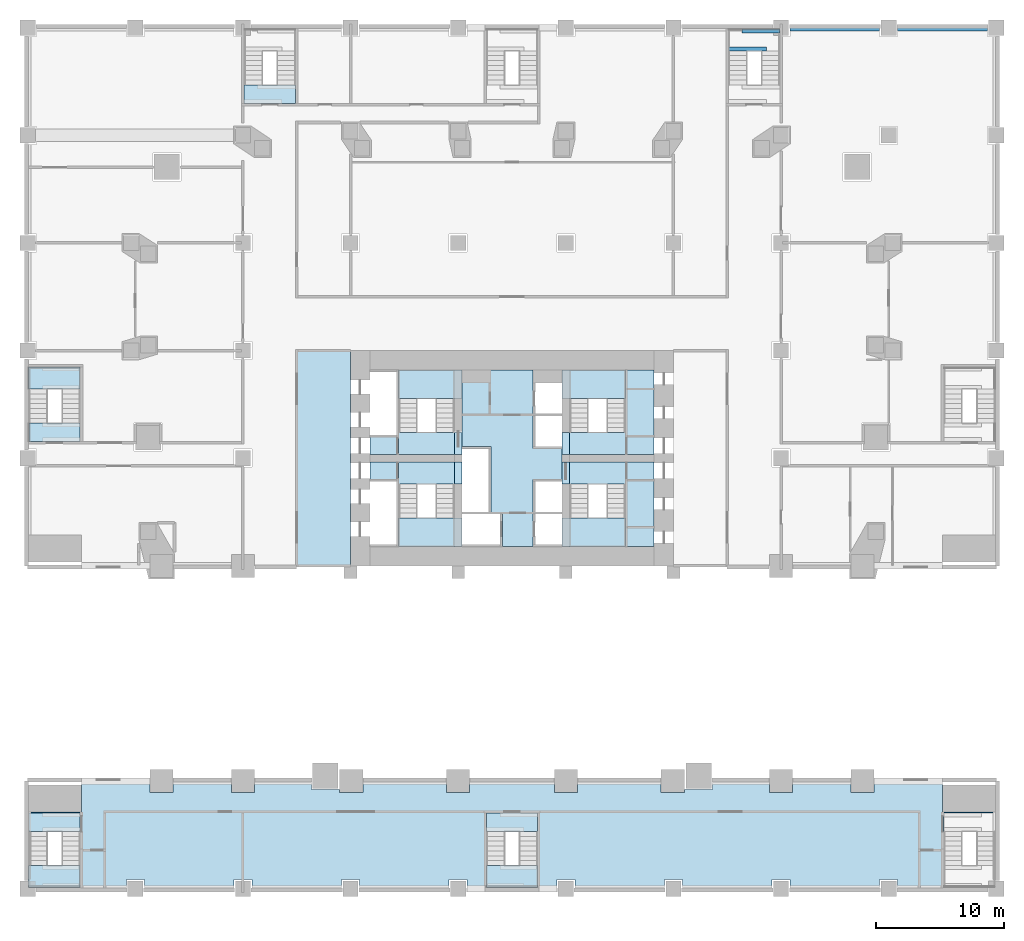
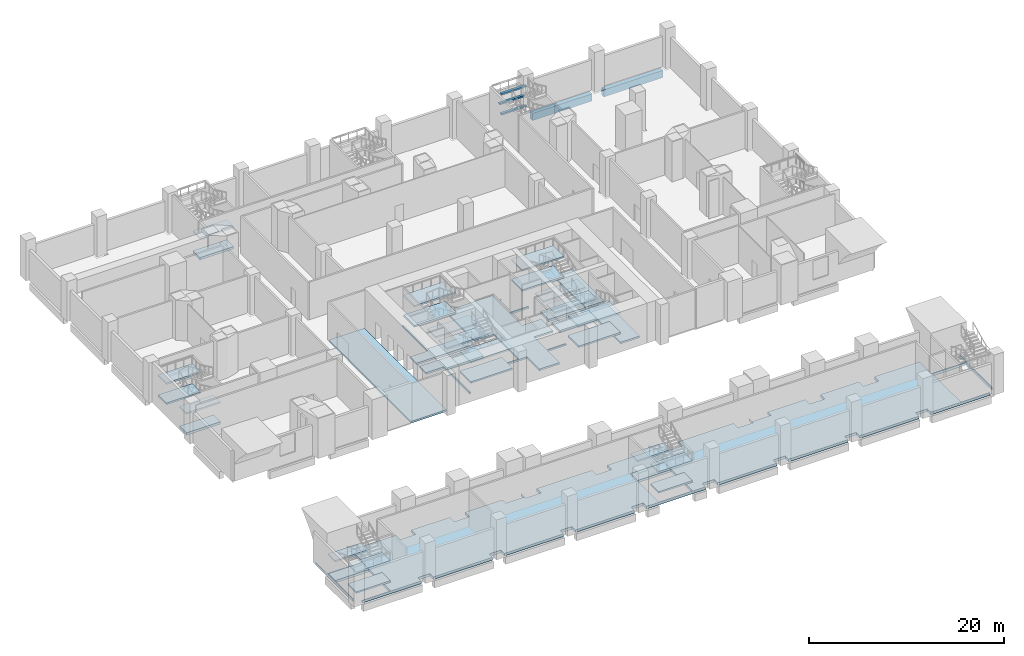
# One storey, part 2 of 16: 37 slabs, 5 beams, 8 elements without a shape of their own.
"""IFC4 building model written with IfcOpenShell, lengths in metres."""

from ifc_helpers import new_model, si_unit, direction, frame, origin, origin_2d, place, context, subcontext, project, spatial, polyline, rectangle, outline, extrude, material, layer, layer_set, material_profile, profile_set, type_object, element, aggregate, save


model = new_model("IFC4")

# Units and contexts
model_context = context("Model", 3, precision=1e-05, world=origin(), true_north=direction((0.0, 1.0)))
body_context = subcontext(model_context, "Body", "Model", "MODEL_VIEW")
ifc_project = project(units=[si_unit("LENGTHUNIT", "METRE"), si_unit("AREAUNIT", "SQUARE_METRE"), si_unit("VOLUMEUNIT", "CUBIC_METRE"), si_unit("PLANEANGLEUNIT", "RADIAN"), si_unit("MASSUNIT", "GRAM", prefix="KILO")], contexts=[model_context])

# Site, building, storey
site_placement = place(None, origin())
site = spatial("IfcSite", under=ifc_project, at=site_placement, CompositionType="ELEMENT")
building_placement = place(site_placement, origin())
building = spatial("IfcBuilding", under=site, at=building_placement, Name="Marenta Gate Hotel Tower", CompositionType="ELEMENT")
storey_placement = place(building_placement, frame((0.0, 0.0, 21.0)))
storey = spatial("IfcBuildingStorey", under=building, at=storey_placement, Name="L03", CompositionType="ELEMENT", Elevation=21.0)

# Beams
ifc_material_1 = material(Name="Concrete C60", Category="concrete")
ifc_material_profile_1 = material_profile(ifc_material_1, rectangle(XDim=0.5, YDim=0.89990234375, at=origin_2d()), Name="500 x 900")
ifc_profile_set_1 = profile_set([ifc_material_profile_1], Name="Concrete C60")
beam_type_1 = type_object("IfcBeamType", Name="Podium edge beam 500 x 900 C60", PredefinedType="BEAM", material=ifc_profile_set_1)
for number, where, z_axis, x_axis, name in (
    (1, (37.10009765625, 42.0, -0.77001953125), (-1.0, 0.0, 0.0), (0.0, -1.0, 0.0), "L03-PBM-116"),
    (2, (28.699951171875, 42.0, -0.77001953125), (-1.0, 0.0, 0.0), (0.0, -1.0, 0.0), "L03-PBM-117"),
):
    element("IfcBeam", number, at=place(storey_placement, frame(where, z_axis=z_axis, x_axis=x_axis)), inside=storey, type_object=beam_type_1, Name=name, PredefinedType="BEAM", context=body_context, shape_type="SweptSolid", body=[
        extrude(rectangle(XDim=0.5, YDim=0.89990234375, at=origin_2d()), origin(), (0.0, 0.0, 1.0), 7.0),
    ])
ifc_material_2 = material(Name="Concrete C40", Category="concrete")
ifc_material_profile_2 = material_profile(ifc_material_2, rectangle(XDim=0.300048828125, YDim=0.199951171875, at=origin_2d()), Name="300 x 200")
ifc_profile_set_2 = profile_set([ifc_material_profile_2], Name="Concrete C40")
beam_type_2 = type_object("IfcBeamType", Name="Stair landing trimmer 300 x 200 C40", PredefinedType="BEAM", material=ifc_profile_set_2)
beam_1_placement = place(storey_placement, frame((17.949951171875, 41.75, 0.949951171875), z_axis=(1.0, 0.0, 0.0), x_axis=(0.0, 1.0, 0.0)))
element("IfcBeam", 3, at=beam_1_placement, inside=storey, type_object=beam_type_2, Name="L03-PX4-LT-2", PredefinedType="BEAM", context=body_context, shape_type="SweptSolid", body=[
    extrude(rectangle(XDim=0.300048828125, YDim=0.199951171875, at=origin_2d()), origin(), (0.0, 0.0, 1.0), 2.949951171875),
])
beam_2_placement = place(storey_placement, frame((16.89990234375, 40.340087890625, 3.449951171875), z_axis=(1.0, 0.0, 0.0), x_axis=(0.0, 1.0, 0.0)))
element("IfcBeam", 4, at=beam_2_placement, inside=storey, type_object=beam_type_2, Name="L03-PX4-LT-5", PredefinedType="BEAM", context=body_context, shape_type="SweptSolid", body=[
    extrude(rectangle(XDim=0.300048828125, YDim=0.199951171875, at=origin_2d()), origin(), (0.0, 0.0, 1.0), 2.9501953125),
])
beam_3_placement = place(storey_placement, frame((17.949951171875, 41.75, 3.449951171875), z_axis=(1.0, 0.0, 0.0), x_axis=(0.0, 1.0, 0.0)))
element("IfcBeam", 5, at=beam_3_placement, inside=storey, type_object=beam_type_2, Name="L03-PX4-LT-6", PredefinedType="BEAM", context=body_context, shape_type="SweptSolid", body=[
    extrude(rectangle(XDim=0.300048828125, YDim=0.199951171875, at=origin_2d()), origin(), (0.0, 0.0, 1.0), 2.949951171875),
])

# Slabs
ifc_material_3 = material(Name="Concrete C40", Category="concrete")
ifc_layer_1 = layer(ifc_material_3, 0.219970703125)
ifc_layer_set_1 = layer_set([ifc_layer_1], Name="Concrete C40")
slab_type_1 = type_object("IfcSlabType", Name="Core floor slab 220", PredefinedType="FLOOR", material=ifc_layer_set_1)
slab_1_placement = place(storey_placement, frame((0.0, 0.0, -0.219970703125)))
element("IfcSlab", 6, at=slab_1_placement, inside=storey, type_object=slab_type_1, Name="L03-CF-2", PredefinedType="FLOOR", context=body_context, shape_type="SweptSolid", body=[
    extrude(outline(polyline([(8.85009765625, 15.300048828125), (11.10009765625, 15.300048828125), (11.10009765625, 8.699951171875), (8.85009765625, 8.699951171875), (8.85009765625, 10.39990234375), (8.85009765625, 15.300048828125)])), origin(), (0.0, 0.0, 1.0), 0.219970703125),
])
slab_2_placement = place(storey_placement, frame((0.0, 0.0, -0.219970703125)))
element("IfcSlab", 7, at=slab_2_placement, inside=storey, type_object=slab_type_1, Name="L03-CF-3", PredefinedType="FLOOR", context=body_context, shape_type="SweptSolid", body=[
    extrude(outline(polyline([(11.10009765625, 8.10009765625), (11.10009765625, 1.5), (8.85009765625, 1.5), (8.85009765625, 6.39990234375), (8.85009765625, 8.10009765625), (11.10009765625, 8.10009765625)])), origin(), (0.0, 0.0, 1.0), 0.219970703125),
])
slab_3_placement = place(storey_placement, frame((0.0, 0.0, -0.219970703125)))
element("IfcSlab", 8, at=slab_3_placement, inside=storey, type_object=slab_type_1, Name="L03-CF-4", PredefinedType="FLOOR", context=body_context, shape_type="SweptSolid", body=[
    extrude(outline(polyline([(1.64990234375, 14.25), (1.64990234375, 11.85009765625), (1.800048828125, 11.85009765625), (3.89990234375, 11.85009765625), (3.89990234375, 11.699951171875), (1.800048828125, 11.699951171875), (1.64990234375, 11.699951171875), (1.64990234375, 9.300048828125), (1.64990234375, 9.14990234375), (3.89990234375, 9.14990234375), (3.89990234375, 9.300048828125), (3.89990234375, 10.39990234375), (3.89990234375, 10.39990234375), (3.89990234375, 6.39990234375), (3.89990234375, 6.39990234375), (3.89990234375, 6.60009765625), (3.89990234375, 6.75), (1.64990234375, 6.75), (1.64990234375, 6.60009765625), (1.64990234375, 4.199951171875), (1.800048828125, 4.199951171875), (3.89990234375, 4.199951171875), (3.89990234375, 4.050048828125), (1.800048828125, 4.050048828125), (1.64990234375, 4.050048828125), (1.64990234375, 1.64990234375), (1.64990234375, 1.5), (-0.75, 1.5), (-0.75, 4.050048828125), (-0.89990234375, 4.050048828125), (-3.89990234375, 4.050048828125), (-3.89990234375, 4.199951171875), (-1.800048828125, 4.199951171875), (-1.64990234375, 4.199951171875), (-1.64990234375, 9.14990234375), (-1.64990234375, 9.300048828125), (-3.89990234375, 9.300048828125), (-3.89990234375, 9.14990234375), (-3.89990234375, 6.75), (-3.89990234375, 6.60009765625), (-3.89990234375, 6.39990234375), (-3.89990234375, 6.39990234375), (-3.89990234375, 10.39990234375), (-3.89990234375, 10.39990234375), (-3.89990234375, 15.300048828125), (1.64990234375, 15.300048828125), (1.64990234375, 14.25)])), origin(), (0.0, 0.0, 1.0), 0.219970703125),
])
slab_4_placement = place(storey_placement, frame((0.0, 0.0, -0.219970703125)))
element("IfcSlab", 9, at=slab_4_placement, inside=storey, type_object=slab_type_1, Name="L03-CF-5", PredefinedType="FLOOR", context=body_context, shape_type="SweptSolid", body=[
    extrude(outline(polyline([(-8.85009765625, 8.10009765625), (-8.85009765625, 6.39990234375), (-8.85009765625, 1.5), (-9.0, 1.5), (-9.0, 1.64990234375), (-9.0, 4.050048828125), (-9.0, 4.199951171875), (-9.0, 6.60009765625), (-9.0, 6.75), (-11.10009765625, 6.75), (-11.10009765625, 8.10009765625), (-8.85009765625, 8.10009765625)])), origin(), (0.0, 0.0, 1.0), 0.219970703125),
])
slab_5_placement = place(storey_placement, frame((0.0, 0.0, -0.219970703125)))
element("IfcSlab", 10, at=slab_5_placement, inside=storey, type_object=slab_type_1, Name="L03-CF-6", PredefinedType="FLOOR", context=body_context, shape_type="SweptSolid", body=[
    extrude(outline(polyline([(-8.85009765625, 10.39990234375), (-8.85009765625, 8.699951171875), (-11.10009765625, 8.699951171875), (-11.10009765625, 10.050048828125), (-9.0, 10.050048828125), (-9.0, 10.199951171875), (-9.0, 12.60009765625), (-9.0, 12.75), (-9.0, 15.14990234375), (-9.0, 15.300048828125), (-8.85009765625, 15.300048828125), (-8.85009765625, 10.39990234375)])), origin(), (0.0, 0.0, 1.0), 0.219970703125),
])
slab_6_placement = place(storey_placement, frame((0.0, 0.0, -0.219970703125)))
element("IfcSlab", 11, at=slab_6_placement, inside=storey, type_object=slab_type_1, Name="L03-CF-7", PredefinedType="FLOOR", context=body_context, shape_type="SweptSolid", body=[
    extrude(outline(polyline([(-12.60009765625, 16.800048828125), (-12.60009765625, 0.0), (-16.800048828125, 0.0), (-16.800048828125, 16.800048828125), (-12.60009765625, 16.800048828125)])), origin(), (0.0, 0.0, 1.0), 0.219970703125),
])

# Stair, slabs
ifc_material_4 = material(Name="Concrete C40", Category="concrete")
stair_type_1 = type_object("IfcStairType", Name="Core exit stair 1430 wide", PredefinedType="HALF_TURN_STAIR", material=ifc_material_4)
stair_1_placement = place(storey_placement, origin())
stair_1 = element("IfcStair", 12, at=stair_1_placement, inside=storey, type_object=stair_type_1, Name="Exit stair 1", PredefinedType="HALF_TURN_STAIR")
ifc_material_5 = material(Name="Concrete C40", Category="concrete")
ifc_layer_2 = layer(ifc_material_5, 0.199951171875)
ifc_layer_set_2 = layer_set([ifc_layer_2], Name="Concrete C40")
slab_type_2 = type_object("IfcSlabType", Name="Core stair landing 200", PredefinedType="LANDING", material=ifc_layer_set_2)
slab_7_placement = place(storey_placement, frame((0.0, 0.0, 1.050048828125)))
slab_7 = element("IfcSlab", 13, at=slab_7_placement, type_object=slab_type_2, Name="SL-200 ST1 landing 1", PredefinedType="LANDING", context=body_context, shape_type="SweptSolid", body=[
    extrude(outline(polyline([(-8.85009765625, 1.5), (-3.89990234375, 1.5), (-3.89990234375, 3.739990234375), (-8.85009765625, 3.739990234375), (-8.85009765625, 1.5)])), origin(), (0.0, 0.0, 1.0), 0.199951171875),
])
slab_8_placement = place(storey_placement, frame((0.0, 0.0, 2.300048828125)))
slab_8 = element("IfcSlab", 14, at=slab_8_placement, type_object=slab_type_2, Name="SL-200 ST1 landing 2", PredefinedType="LANDING", context=body_context, shape_type="SweptSolid", body=[
    extrude(outline(polyline([(-8.85009765625, 6.39990234375), (-3.89990234375, 6.39990234375), (-3.89990234375, 8.10009765625), (-8.85009765625, 8.10009765625), (-8.85009765625, 6.39990234375)])), origin(), (0.0, 0.0, 1.0), 0.199951171875),
])
slab_9_placement = place(storey_placement, frame((0.0, 0.0, 3.550048828125)))
slab_9 = element("IfcSlab", 15, at=slab_9_placement, type_object=slab_type_2, Name="SL-200 ST1 landing 3", PredefinedType="LANDING", context=body_context, shape_type="SweptSolid", body=[
    extrude(outline(polyline([(-8.85009765625, 1.5), (-3.89990234375, 1.5), (-3.89990234375, 3.739990234375), (-8.85009765625, 3.739990234375), (-8.85009765625, 1.5)])), origin(), (0.0, 0.0, 1.0), 0.199951171875),
])
aggregate(stair_1, [slab_7, slab_8, slab_9])

stair_2_placement = place(storey_placement, origin())
stair_2 = element("IfcStair", 16, at=stair_2_placement, inside=storey, type_object=stair_type_1, Name="Exit stair 2", PredefinedType="HALF_TURN_STAIR")
slab_10_placement = place(storey_placement, frame((0.0, 0.0, 1.050048828125)))
slab_10 = element("IfcSlab", 17, at=slab_10_placement, type_object=slab_type_2, Name="SL-200 ST2 landing 1", PredefinedType="LANDING", context=body_context, shape_type="SweptSolid", body=[
    extrude(outline(polyline([(-8.85009765625, 13.06005859375), (-3.89990234375, 13.06005859375), (-3.89990234375, 15.300048828125), (-8.85009765625, 15.300048828125), (-8.85009765625, 13.06005859375)])), origin(), (0.0, 0.0, 1.0), 0.199951171875),
])
slab_11_placement = place(storey_placement, frame((0.0, 0.0, 2.300048828125)))
slab_11 = element("IfcSlab", 18, at=slab_11_placement, type_object=slab_type_2, Name="SL-200 ST2 landing 2", PredefinedType="LANDING", context=body_context, shape_type="SweptSolid", body=[
    extrude(outline(polyline([(-8.85009765625, 8.699951171875), (-3.89990234375, 8.699951171875), (-3.89990234375, 10.39990234375), (-8.85009765625, 10.39990234375), (-8.85009765625, 8.699951171875)])), origin(), (0.0, 0.0, 1.0), 0.199951171875),
])
slab_12_placement = place(storey_placement, frame((0.0, 0.0, 3.550048828125)))
slab_12 = element("IfcSlab", 19, at=slab_12_placement, type_object=slab_type_2, Name="SL-200 ST2 landing 3", PredefinedType="LANDING", context=body_context, shape_type="SweptSolid", body=[
    extrude(outline(polyline([(-8.85009765625, 13.06005859375), (-3.89990234375, 13.06005859375), (-3.89990234375, 15.300048828125), (-8.85009765625, 15.300048828125), (-8.85009765625, 13.06005859375)])), origin(), (0.0, 0.0, 1.0), 0.199951171875),
])
aggregate(stair_2, [slab_10, slab_11, slab_12])

stair_3_placement = place(storey_placement, origin())
stair_3 = element("IfcStair", 20, at=stair_3_placement, inside=storey, type_object=stair_type_1, Name="Exit stair 3", PredefinedType="HALF_TURN_STAIR")
slab_13_placement = place(storey_placement, frame((0.0, 0.0, 1.050048828125)))
slab_13 = element("IfcSlab", 21, at=slab_13_placement, type_object=slab_type_2, Name="SL-200 ST3 landing 1", PredefinedType="LANDING", context=body_context, shape_type="SweptSolid", body=[
    extrude(outline(polyline([(3.89990234375, 1.5), (8.85009765625, 1.5), (8.85009765625, 3.739990234375), (3.89990234375, 3.739990234375), (3.89990234375, 1.5)])), origin(), (0.0, 0.0, 1.0), 0.199951171875),
])
slab_14_placement = place(storey_placement, frame((0.0, 0.0, 2.300048828125)))
slab_14 = element("IfcSlab", 22, at=slab_14_placement, type_object=slab_type_2, Name="SL-200 ST3 landing 2", PredefinedType="LANDING", context=body_context, shape_type="SweptSolid", body=[
    extrude(outline(polyline([(3.89990234375, 6.39990234375), (8.85009765625, 6.39990234375), (8.85009765625, 8.10009765625), (3.89990234375, 8.10009765625), (3.89990234375, 6.39990234375)])), origin(), (0.0, 0.0, 1.0), 0.199951171875),
])
slab_15_placement = place(storey_placement, frame((0.0, 0.0, 3.550048828125)))
slab_15 = element("IfcSlab", 23, at=slab_15_placement, type_object=slab_type_2, Name="SL-200 ST3 landing 3", PredefinedType="LANDING", context=body_context, shape_type="SweptSolid", body=[
    extrude(outline(polyline([(3.89990234375, 1.5), (8.85009765625, 1.5), (8.85009765625, 3.739990234375), (3.89990234375, 3.739990234375), (3.89990234375, 1.5)])), origin(), (0.0, 0.0, 1.0), 0.199951171875),
])
aggregate(stair_3, [slab_13, slab_14, slab_15])

stair_4_placement = place(storey_placement, origin())
stair_4 = element("IfcStair", 24, at=stair_4_placement, inside=storey, type_object=stair_type_1, Name="Exit stair 4", PredefinedType="HALF_TURN_STAIR")
slab_16_placement = place(storey_placement, frame((0.0, 0.0, 1.050048828125)))
slab_16 = element("IfcSlab", 25, at=slab_16_placement, type_object=slab_type_2, Name="SL-200 ST4 landing 1", PredefinedType="LANDING", context=body_context, shape_type="SweptSolid", body=[
    extrude(outline(polyline([(3.89990234375, 13.06005859375), (8.85009765625, 13.06005859375), (8.85009765625, 15.300048828125), (3.89990234375, 15.300048828125), (3.89990234375, 13.06005859375)])), origin(), (0.0, 0.0, 1.0), 0.199951171875),
])
slab_17_placement = place(storey_placement, frame((0.0, 0.0, 2.300048828125)))
slab_17 = element("IfcSlab", 26, at=slab_17_placement, type_object=slab_type_2, Name="SL-200 ST4 landing 2", PredefinedType="LANDING", context=body_context, shape_type="SweptSolid", body=[
    extrude(outline(polyline([(3.89990234375, 8.699951171875), (8.85009765625, 8.699951171875), (8.85009765625, 10.39990234375), (3.89990234375, 10.39990234375), (3.89990234375, 8.699951171875)])), origin(), (0.0, 0.0, 1.0), 0.199951171875),
])
slab_18_placement = place(storey_placement, frame((0.0, 0.0, 3.550048828125)))
slab_18 = element("IfcSlab", 27, at=slab_18_placement, type_object=slab_type_2, Name="SL-200 ST4 landing 3", PredefinedType="LANDING", context=body_context, shape_type="SweptSolid", body=[
    extrude(outline(polyline([(3.89990234375, 13.06005859375), (8.85009765625, 13.06005859375), (8.85009765625, 15.300048828125), (3.89990234375, 15.300048828125), (3.89990234375, 13.06005859375)])), origin(), (0.0, 0.0, 1.0), 0.199951171875),
])
aggregate(stair_4, [slab_16, slab_17, slab_18])

ifc_material_6 = material(Name="Concrete C40", Category="concrete")
stair_type_2 = type_object("IfcStairType", Name="Podium exit stair 1430 wide", PredefinedType="HALF_TURN_STAIR", material=ifc_material_6)
stair_5_placement = place(storey_placement, origin())
stair_5 = element("IfcStair", 28, at=stair_5_placement, inside=storey, type_object=stair_type_2, Name="Podium exit stair 1", PredefinedType="HALF_TURN_STAIR")
slab_19_placement = place(storey_placement, frame((0.0, 0.0, 1.050048828125)))
slab_19 = element("IfcSlab", 29, at=slab_19_placement, type_object=slab_type_2, Name="SL-200 PX1 landing 1", PredefinedType="LANDING", context=body_context, shape_type="SweptSolid", body=[
    extrude(outline(polyline([(-37.739990234375, -25.10009765625), (-33.699951171875, -25.10009765625), (-33.699951171875, -23.389892578125), (-37.739990234375, -23.389892578125), (-37.739990234375, -25.10009765625)])), origin(), (0.0, 0.0, 1.0), 0.199951171875),
])
slab_20_placement = place(storey_placement, frame((0.0, 0.0, 2.300048828125)))
slab_20 = element("IfcSlab", 30, at=slab_20_placement, type_object=slab_type_2, Name="SL-200 PX1 landing 2", PredefinedType="LANDING", context=body_context, shape_type="SweptSolid", body=[
    extrude(outline(polyline([(-37.739990234375, -20.72998046875), (-33.699951171875, -20.72998046875), (-33.699951171875, -19.300048828125), (-37.739990234375, -19.300048828125), (-37.739990234375, -20.72998046875)])), origin(), (0.0, 0.0, 1.0), 0.199951171875),
])
slab_21_placement = place(storey_placement, frame((0.0, 0.0, 3.550048828125)))
slab_21 = element("IfcSlab", 31, at=slab_21_placement, type_object=slab_type_2, Name="SL-200 PX1 landing 3", PredefinedType="LANDING", context=body_context, shape_type="SweptSolid", body=[
    extrude(outline(polyline([(-37.739990234375, -25.10009765625), (-33.699951171875, -25.10009765625), (-33.699951171875, -23.389892578125), (-37.739990234375, -23.389892578125), (-37.739990234375, -25.10009765625)])), origin(), (0.0, 0.0, 1.0), 0.199951171875),
])
aggregate(stair_5, [slab_19, slab_20, slab_21])

# Stair, slab
stair_6_placement = place(storey_placement, origin())
stair_6 = element("IfcStair", 32, at=stair_6_placement, inside=storey, type_object=stair_type_2, Name="Podium exit stair 3", PredefinedType="HALF_TURN_STAIR")
slab_22_placement = place(storey_placement, frame((0.0, 0.0, 2.300048828125)))
slab_22 = element("IfcSlab", 33, at=slab_22_placement, type_object=slab_type_2, Name="SL-200 PX3 landing 2", PredefinedType="LANDING", context=body_context, shape_type="SweptSolid", body=[
    extrude(outline(polyline([(-20.89990234375, 36.10009765625), (-16.89990234375, 36.10009765625), (-16.89990234375, 37.530029296875), (-20.89990234375, 37.530029296875), (-20.89990234375, 36.10009765625)])), origin(), (0.0, 0.0, 1.0), 0.199951171875),
])
aggregate(stair_6, [slab_22])

# Stair, slabs
stair_7_placement = place(storey_placement, origin())
stair_7 = element("IfcStair", 34, at=stair_7_placement, inside=storey, type_object=stair_type_2, Name="Podium exit stair 5", PredefinedType="HALF_TURN_STAIR")
slab_23_placement = place(storey_placement, frame((0.0, 0.0, 1.050048828125)))
slab_23 = element("IfcSlab", 35, at=slab_23_placement, type_object=slab_type_2, Name="SL-200 PX5 landing 1", PredefinedType="LANDING", context=body_context, shape_type="SweptSolid", body=[
    extrude(outline(polyline([(-2.0, -25.10009765625), (2.0, -25.10009765625), (2.0, -23.389892578125), (-2.0, -23.389892578125), (-2.0, -25.10009765625)])), origin(), (0.0, 0.0, 1.0), 0.199951171875),
])
slab_24_placement = place(storey_placement, frame((0.0, 0.0, 2.300048828125)))
slab_24 = element("IfcSlab", 36, at=slab_24_placement, type_object=slab_type_2, Name="SL-200 PX5 landing 2", PredefinedType="LANDING", context=body_context, shape_type="SweptSolid", body=[
    extrude(outline(polyline([(-2.0, -20.72998046875), (2.0, -20.72998046875), (2.0, -19.300048828125), (-2.0, -19.300048828125), (-2.0, -20.72998046875)])), origin(), (0.0, 0.0, 1.0), 0.199951171875),
])
slab_25_placement = place(storey_placement, frame((0.0, 0.0, 3.550048828125)))
slab_25 = element("IfcSlab", 37, at=slab_25_placement, type_object=slab_type_2, Name="SL-200 PX5 landing 3", PredefinedType="LANDING", context=body_context, shape_type="SweptSolid", body=[
    extrude(outline(polyline([(-2.0, -25.10009765625), (2.0, -25.10009765625), (2.0, -23.389892578125), (-2.0, -23.389892578125), (-2.0, -25.10009765625)])), origin(), (0.0, 0.0, 1.0), 0.199951171875),
])
aggregate(stair_7, [slab_23, slab_24, slab_25])

stair_8_placement = place(storey_placement, origin())
stair_8 = element("IfcStair", 38, at=stair_8_placement, inside=storey, type_object=stair_type_2, Name="Podium exit stair 6", PredefinedType="HALF_TURN_STAIR")
slab_26_placement = place(storey_placement, frame((0.0, 0.0, 1.050048828125)))
slab_26 = element("IfcSlab", 39, at=slab_26_placement, type_object=slab_type_2, Name="SL-200 PX6 landing 1", PredefinedType="LANDING", context=body_context, shape_type="SweptSolid", body=[
    extrude(outline(polyline([(-37.739990234375, 13.7900390625), (-33.699951171875, 13.7900390625), (-33.699951171875, 15.5), (-37.739990234375, 15.5), (-37.739990234375, 13.7900390625)])), origin(), (0.0, 0.0, 1.0), 0.199951171875),
])
slab_27_placement = place(storey_placement, frame((0.0, 0.0, 2.300048828125)))
slab_27 = element("IfcSlab", 40, at=slab_27_placement, type_object=slab_type_2, Name="SL-200 PX6 landing 2", PredefinedType="LANDING", context=body_context, shape_type="SweptSolid", body=[
    extrude(outline(polyline([(-37.739990234375, 9.699951171875), (-33.699951171875, 9.699951171875), (-33.699951171875, 11.1298828125), (-37.739990234375, 11.1298828125), (-37.739990234375, 9.699951171875)])), origin(), (0.0, 0.0, 1.0), 0.199951171875),
])
slab_28_placement = place(storey_placement, frame((0.0, 0.0, 3.550048828125)))
slab_28 = element("IfcSlab", 41, at=slab_28_placement, type_object=slab_type_2, Name="SL-200 PX6 landing 3", PredefinedType="LANDING", context=body_context, shape_type="SweptSolid", body=[
    extrude(outline(polyline([(-37.739990234375, 13.7900390625), (-33.699951171875, 13.7900390625), (-33.699951171875, 15.5), (-37.739990234375, 15.5), (-37.739990234375, 13.7900390625)])), origin(), (0.0, 0.0, 1.0), 0.199951171875),
])
aggregate(stair_8, [slab_26, slab_27, slab_28])

# Slabs
ifc_material_7 = material(Name="Concrete C40", Category="concrete")
ifc_layer_3 = layer(ifc_material_7, 0.320068359375)
ifc_layer_set_3 = layer_set([ifc_layer_3], Name="Concrete C40")
slab_type_3 = type_object("IfcSlabType", Name="Podium flat slab 320 C40", PredefinedType="FLOOR", material=ifc_layer_set_3)
slab_29_placement = place(storey_placement, frame((0.0, 0.0, -0.320068359375)))
element("IfcSlab", 42, at=slab_29_placement, inside=storey, type_object=slab_type_3, Name="PS1 L03-PSL-2", PredefinedType="FLOOR", context=body_context, shape_type="SweptSolid", body=[
    extrude(outline(polyline([(37.800048828125, -24.5), (37.800048828125, -16.800048828125), (37.7900390625, -16.800048828125), (37.7900390625, -19.199951171875), (33.60009765625, -19.199951171875), (33.60009765625, -16.800048828125), (28.262939453125, -16.800048828125), (28.262939453125, -17.699951171875), (26.462890625, -17.699951171875), (26.462890625, -16.800048828125), (21.89990234375, -16.800048828125), (21.89990234375, -17.699951171875), (20.10009765625, -17.699951171875), (20.10009765625, -16.800048828125), (15.666259765625, -16.800048828125), (15.666259765625, -17.474853515625), (13.46630859375, -17.474853515625), (13.46630859375, -16.800048828125), (13.4462890625, -16.800048828125), (13.4462890625, -17.699951171875), (11.646240234375, -17.699951171875), (11.646240234375, -16.800048828125), (5.10009765625, -16.800048828125), (5.10009765625, -17.699951171875), (3.300048828125, -17.699951171875), (3.300048828125, -16.800048828125), (-3.300048828125, -16.800048828125), (-3.300048828125, -17.699951171875), (-5.10009765625, -17.699951171875), (-5.10009765625, -16.800048828125), (-11.646240234375, -16.800048828125), (-11.646240234375, -17.699951171875), (-13.4462890625, -17.699951171875), (-13.4462890625, -16.800048828125), (-13.46630859375, -16.800048828125), (-13.46630859375, -17.474853515625), (-15.666259765625, -17.474853515625), (-15.666259765625, -16.800048828125), (-20.10009765625, -16.800048828125), (-20.10009765625, -17.699951171875), (-21.89990234375, -17.699951171875), (-21.89990234375, -16.800048828125), (-26.462890625, -16.800048828125), (-26.462890625, -17.699951171875), (-28.262939453125, -17.699951171875), (-28.262939453125, -16.800048828125), (-33.60009765625, -16.800048828125), (-33.60009765625, -19.199951171875), (-37.7900390625, -19.199951171875), (-37.7900390625, -16.800048828125), (-37.800048828125, -16.800048828125), (-37.800048828125, -24.5), (-37.699951171875, -24.5), (-37.699951171875, -19.300048828125), (-33.699951171875, -19.300048828125), (-33.699951171875, -25.10009765625), (-37.10009765625, -25.10009765625), (-37.10009765625, -25.199951171875), (-30.10009765625, -25.199951171875), (-30.10009765625, -24.5), (-28.699951171875, -24.5), (-28.699951171875, -25.199951171875), (-21.699951171875, -25.199951171875), (-21.699951171875, -24.5), (-20.300048828125, -24.5), (-20.300048828125, -25.199951171875), (-13.300048828125, -25.199951171875), (-13.300048828125, -24.5), (-11.89990234375, -24.5), (-11.89990234375, -25.199951171875), (-4.89990234375, -25.199951171875), (-4.89990234375, -24.5), (-3.5, -24.5), (-3.5, -25.199951171875), (3.5, -25.199951171875), (3.5, -24.5), (4.89990234375, -24.5), (4.89990234375, -25.199951171875), (11.89990234375, -25.199951171875), (11.89990234375, -24.5), (13.300048828125, -24.5), (13.300048828125, -25.199951171875), (20.300048828125, -25.199951171875), (20.300048828125, -24.5), (21.699951171875, -24.5), (21.699951171875, -25.199951171875), (28.699951171875, -25.199951171875), (28.699951171875, -24.5), (30.10009765625, -24.5), (30.10009765625, -25.199951171875), (37.10009765625, -25.199951171875), (37.10009765625, -25.10009765625), (33.699951171875, -25.10009765625), (33.699951171875, -19.300048828125), (37.699951171875, -19.300048828125), (37.699951171875, -24.5), (37.800048828125, -24.5)]), holes=[polyline([(-2.0, -19.300048828125), (2.0, -19.300048828125), (2.0, -25.10009765625), (-2.0, -25.10009765625), (-2.0, -19.300048828125)])]), origin(), (0.0, 0.0, 1.0), 0.320068359375),
])
ifc_material_8 = material(Name="Concrete C40", Category="concrete")
ifc_layer_4 = layer(ifc_material_8, 0.300048828125)
ifc_layer_set_4 = layer_set([ifc_layer_4], Name="Concrete C40")
slab_type_4 = type_object("IfcSlabType", Name="Stair floor landing slab 300", PredefinedType="FLOOR", material=ifc_layer_set_4)
slab_30_placement = place(storey_placement, frame((0.0, 0.0, -0.300048828125)))
element("IfcSlab", 43, at=slab_30_placement, inside=storey, type_object=slab_type_4, Name="L03-CL-ST1-1", PredefinedType="FLOOR", context=body_context, shape_type="SweptSolid", body=[
    extrude(outline(polyline([(-4.5, 6.39990234375), (-8.85009765625, 6.39990234375), (-8.85009765625, 8.10009765625), (-4.5, 8.10009765625), (-4.5, 6.39990234375)])), origin(), (0.0, 0.0, 1.0), 0.300048828125),
])
slab_31_placement = place(storey_placement, frame((0.0, 0.0, -0.300048828125)))
element("IfcSlab", 44, at=slab_31_placement, inside=storey, type_object=slab_type_4, Name="L03-CL-ST2-1", PredefinedType="FLOOR", context=body_context, shape_type="SweptSolid", body=[
    extrude(outline(polyline([(-4.5, 8.699951171875), (-8.85009765625, 8.699951171875), (-8.85009765625, 10.39990234375), (-4.5, 10.39990234375), (-4.5, 8.699951171875)])), origin(), (0.0, 0.0, 1.0), 0.300048828125),
])
slab_32_placement = place(storey_placement, frame((0.0, 0.0, -0.300048828125)))
element("IfcSlab", 45, at=slab_32_placement, inside=storey, type_object=slab_type_4, Name="L03-CL-ST3-1", PredefinedType="FLOOR", context=body_context, shape_type="SweptSolid", body=[
    extrude(outline(polyline([(4.5, 6.39990234375), (4.5, 8.10009765625), (8.85009765625, 8.10009765625), (8.85009765625, 6.39990234375), (4.5, 6.39990234375)])), origin(), (0.0, 0.0, 1.0), 0.300048828125),
])
slab_33_placement = place(storey_placement, frame((0.0, 0.0, -0.300048828125)))
element("IfcSlab", 46, at=slab_33_placement, inside=storey, type_object=slab_type_4, Name="L03-CL-ST4-1", PredefinedType="FLOOR", context=body_context, shape_type="SweptSolid", body=[
    extrude(outline(polyline([(4.5, 8.699951171875), (4.5, 10.39990234375), (8.85009765625, 10.39990234375), (8.85009765625, 8.699951171875), (4.5, 8.699951171875)])), origin(), (0.0, 0.0, 1.0), 0.300048828125),
])
slab_34_placement = place(storey_placement, frame((0.0, 0.0, -0.300048828125)))
element("IfcSlab", 47, at=slab_34_placement, inside=storey, type_object=slab_type_4, Name="L03-CL-PX1-1", PredefinedType="FLOOR", context=body_context, shape_type="SweptSolid", body=[
    extrude(outline(polyline([(-33.699951171875, -20.72998046875), (-37.699951171875, -20.72998046875), (-37.699951171875, -19.300048828125), (-33.699951171875, -19.300048828125), (-33.699951171875, -20.72998046875)])), origin(), (0.0, 0.0, 1.0), 0.300048828125),
])
slab_35_placement = place(storey_placement, frame((0.0, 0.0, -0.300048828125)))
element("IfcSlab", 48, at=slab_35_placement, inside=storey, type_object=slab_type_4, Name="L03-CL-PX3-1", PredefinedType="FLOOR", context=body_context, shape_type="SweptSolid", body=[
    extrude(outline(polyline([(-16.89990234375, 36.10009765625), (-20.89990234375, 36.10009765625), (-20.89990234375, 37.530029296875), (-16.89990234375, 37.530029296875), (-16.89990234375, 36.10009765625)])), origin(), (0.0, 0.0, 1.0), 0.300048828125),
])
slab_36_placement = place(storey_placement, frame((0.0, 0.0, -0.300048828125)))
element("IfcSlab", 49, at=slab_36_placement, inside=storey, type_object=slab_type_4, Name="L03-CL-PX5-1", PredefinedType="FLOOR", context=body_context, shape_type="SweptSolid", body=[
    extrude(outline(polyline([(2.0, -20.72998046875), (-2.0, -20.72998046875), (-2.0, -19.300048828125), (2.0, -19.300048828125), (2.0, -20.72998046875)])), origin(), (0.0, 0.0, 1.0), 0.300048828125),
])
slab_37_placement = place(storey_placement, frame((0.0, 0.0, -0.300048828125)))
element("IfcSlab", 50, at=slab_37_placement, inside=storey, type_object=slab_type_4, Name="L03-CL-PX6-1", PredefinedType="FLOOR", context=body_context, shape_type="SweptSolid", body=[
    extrude(outline(polyline([(-33.699951171875, 9.699951171875), (-37.699951171875, 9.699951171875), (-37.699951171875, 11.1298828125), (-33.699951171875, 11.1298828125), (-33.699951171875, 9.699951171875)])), origin(), (0.0, 0.0, 1.0), 0.300048828125),
])

save(model, "model.ifc")
